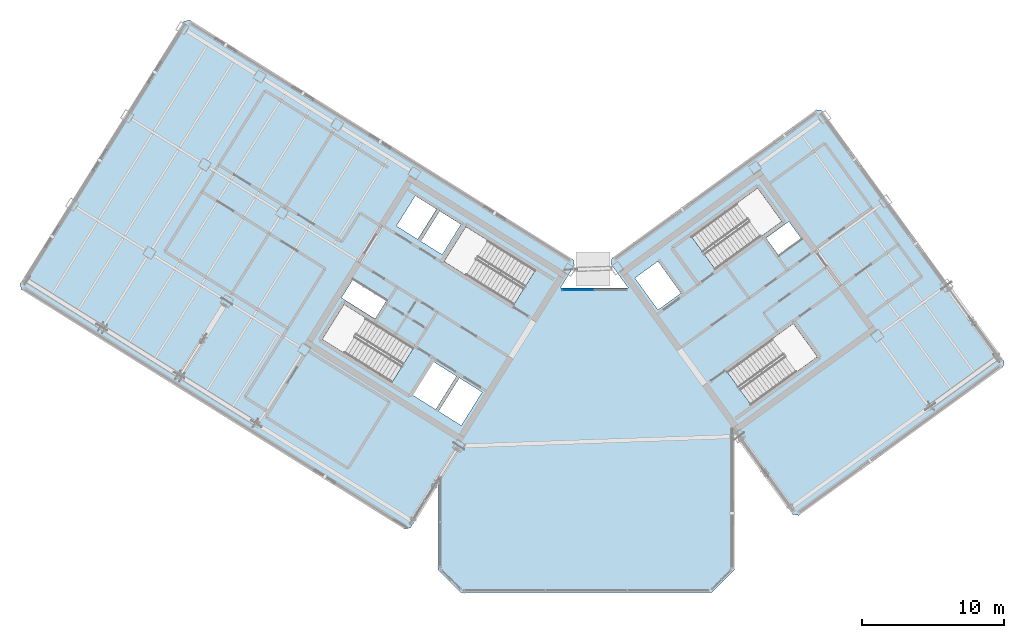
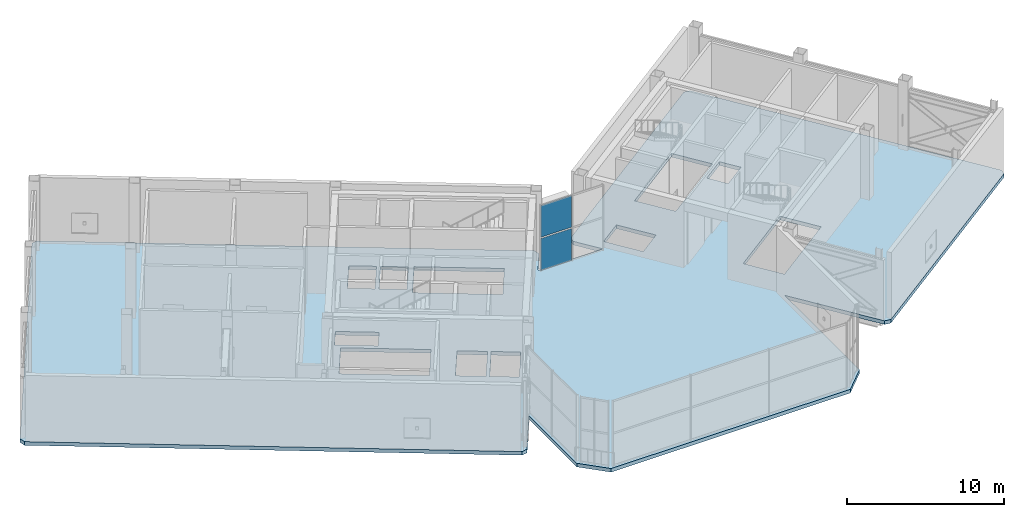
# One storey, part 16 of 32: 2 plates, 1 slab, 1 element without a shape of its own.
"""IFC4 building model written with IfcOpenShell, lengths in metres."""

from ifc_helpers import new_model, si_unit, direction, frame, origin, origin_2d, place, context, subcontext, project, spatial, polyline, rectangle, outline, extrude, source, transform, mapped, material, layer, layer_set, type_object, element, aggregate, save


model = new_model("IFC4")

# Units and contexts
model_context = context("Model", 3, precision=1e-05, world=origin(), true_north=direction((0.0, 1.0)))
body_context = subcontext(model_context, "Body", "Model", "MODEL_VIEW")
ifc_project = project(units=[si_unit("LENGTHUNIT", "METRE"), si_unit("AREAUNIT", "SQUARE_METRE"), si_unit("VOLUMEUNIT", "CUBIC_METRE"), si_unit("PLANEANGLEUNIT", "RADIAN"), si_unit("MASSUNIT", "GRAM", prefix="KILO")], contexts=[model_context])

# Site, building, storey
site_placement = place(None, origin())
site = spatial("IfcSite", under=ifc_project, at=site_placement, CompositionType="ELEMENT")
building_placement = place(site_placement, origin())
building = spatial("IfcBuilding", under=site, at=building_placement, Name="Tlacorven Tower", CompositionType="ELEMENT")
storey_placement = place(building_placement, frame((0.0, 0.0, 245.699951171875)))
storey = spatial("IfcBuildingStorey", under=building, at=storey_placement, Name="L62", CompositionType="ELEMENT", Elevation=245.699951171875)

# Slab
ifc_material_1 = material(Name="Concrete C50/60", Category="concrete")
ifc_layer_1 = layer(ifc_material_1, 0.280029296875)
ifc_layer_set_1 = layer_set([ifc_layer_1], Name="Concrete C50/60")
slab_type = type_object("IfcSlabType", Name="SL-WND-280", PredefinedType="FLOOR", material=ifc_layer_set_1)
slab_placement = place(storey_placement, frame((0.0, 0.0, -0.280029296875)))
element("IfcSlab", 1, at=slab_placement, inside=storey, type_object=slab_type, Name="L62 Boomerang Tower Floor Slab", PredefinedType="FLOOR", context=body_context, shape_type="SweptSolid", body=[
    extrude(outline(polyline([(52.39990234375, 3.39990234375), (50.800048828125, 1.800048828125), (33.199951171875, 1.800048828125), (31.60009765625, 3.39990234375), (31.60009765625, 9.470703125), (29.652587890625, 6.35400390625), (29.2392578125, 6.258544921875), (2.339111328125, 23.067626953125), (2.24365234375, 23.481201171875), (13.75341796875, 41.900634765625), (14.1669921875, 41.99609375), (41.06689453125, 25.18701171875), (41.162353515625, 24.773681640625), (40.178955078125, 23.199951171875), (44.932373046875, 23.199951171875), (43.723876953125, 24.86328125), (43.790283203125, 25.2822265625), (58.1259765625, 35.69775390625), (58.545166015625, 35.63134765625), (71.311767578125, 18.0595703125), (71.245361328125, 17.640380859375), (56.90966796875, 7.224853515625), (56.49072265625, 7.291259765625), (52.39990234375, 12.921630859375), (52.39990234375, 3.39990234375)]), holes=[polyline([(29.865478515625, 18.979736328125), (24.9892578125, 22.02685546875), (23.463134765625, 19.58447265625), (28.33935546875, 16.537353515625), (29.865478515625, 18.979736328125)]), polyline([(38.4169921875, 24.4375), (33.540771484375, 27.484375), (32.0146484375, 25.0419921875), (36.890869140625, 21.9951171875), (38.4169921875, 24.4375)]), polyline([(51.05908203125, 24.481689453125), (55.7109375, 27.861572265625), (54.01806640625, 30.19140625), (49.3662109375, 26.811767578125), (51.05908203125, 24.481689453125)]), polyline([(53.56298828125, 14.978759765625), (58.21484375, 18.3583984375), (56.52197265625, 20.6884765625), (51.8701171875, 17.30859375), (53.56298828125, 14.978759765625)]), polyline([(34.682373046875, 15.87548828125), (33.088134765625, 16.871826171875), (31.62548828125, 14.531005859375), (33.2197265625, 13.534912109375), (34.682373046875, 15.87548828125)]), polyline([(32.884521484375, 16.9990234375), (31.2392578125, 18.02685546875), (29.77685546875, 15.686279296875), (31.421875, 14.658203125), (32.884521484375, 16.9990234375)]), polyline([(47.0234375, 21.648681640625), (48.6416015625, 22.82421875), (47.019287109375, 25.05712890625), (45.401123046875, 23.881591796875), (47.0234375, 21.648681640625)]), polyline([(33.197265625, 27.65185546875), (31.704833984375, 28.58447265625), (30.3798828125, 26.46435546875), (31.87255859375, 25.53173828125), (33.197265625, 27.65185546875)]), polyline([(31.484375, 28.722412109375), (29.99169921875, 29.655029296875), (28.6669921875, 27.534912109375), (30.159423828125, 26.602294921875), (31.484375, 28.722412109375)]), polyline([(27.96142578125, 22.2919921875), (25.603759765625, 23.76513671875), (24.80908203125, 22.4931640625), (27.16650390625, 21.02001953125), (27.96142578125, 22.2919921875)]), polyline([(55.490478515625, 25.4765625), (57.092529296875, 26.640380859375), (56.210693359375, 27.85400390625), (54.60888671875, 26.690185546875), (55.490478515625, 25.4765625)])]), origin(), (0.0, 0.0, 1.0), 0.280029296875),
])

# Curtain wall, plates
ifc_material_2 = material(Name="Dark solar low-E double glazing in aluminium frame", Category="aluminium")
curtain_wall_type = type_object("IfcCurtainWallType", Name="CW-TWR-HIGH", PredefinedType="USERDEFINED", material=ifc_material_2)
curtain_wall_placement = place(storey_placement, origin())
curtain_wall = element("IfcCurtainWall", 2, at=curtain_wall_placement, inside=storey, type_object=curtain_wall_type, Name="L62 CW-TWR-HIGH Curtain Wall 289", ObjectType="UNITISED CURTAIN WALL", PredefinedType="USERDEFINED")
ifc_material_3 = material(Name="High-wind dark solar tempered low-E glazing", Category="glass")
ifc_layer_2 = layer(ifc_material_3, 0.028076171875)
ifc_layer_set_2 = layer_set([ifc_layer_2], Name="High-wind dark solar tempered low-E glazing")
plate_type = type_object("IfcPlateType", Name="CWP-03", PredefinedType="CURTAIN_PANEL", material=ifc_layer_set_2)
shared_shape = source(origin(), body_context, "Body", "SweptSolid", [
    extrude(rectangle(XDim=2.246337890625, YDim=0.028076171875, at=origin_2d()), origin(), (0.0, 0.0, 1.0), 2.472900390625),
])
plate_1_placement = place(storey_placement, frame((41.41796875, 23.0400390625, 0.05126953125), z_axis=(0.0, 0.0, 1.0), x_axis=(1.0, 0.0, 0.0)))
plate_1 = element("IfcPlate", 3, at=plate_1_placement, type_object=plate_type, Name="CW-L62-289 Glazing Panel 1", PredefinedType="CURTAIN_PANEL", context=body_context, shape_type="MappedRepresentation", body=[
    mapped(shared_shape, transform((0.0, 0.0, 0.0), scale=1.0)),
])
plate_2_placement = place(storey_placement, frame((41.41796875, 23.0400390625, 2.6259765625), z_axis=(0.0, 0.0, 1.0), x_axis=(1.0, 0.0, 0.0)))
plate_2 = element("IfcPlate", 4, at=plate_2_placement, type_object=plate_type, Name="CW-L62-289 Glazing Panel 2", PredefinedType="CURTAIN_PANEL", context=body_context, shape_type="MappedRepresentation", body=[
    mapped(shared_shape, transform((0.0, 0.0, 0.0), scale=1.0)),
])
aggregate(curtain_wall, [plate_1, plate_2])

save(model, "model.ifc")
